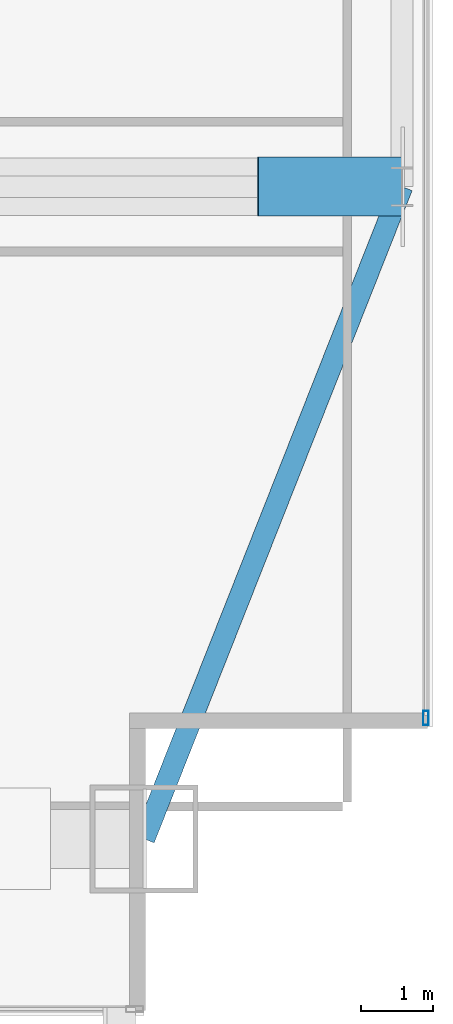
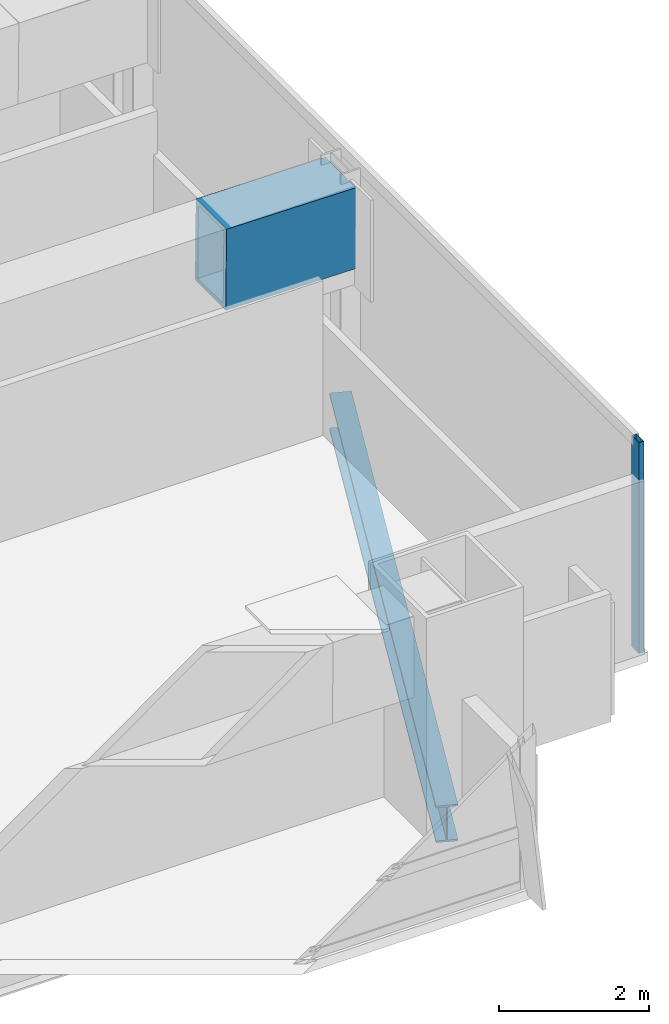
# One storey, part 19 of 30: 2 beams, 1 member, 1 element without a shape of its own.
"""IFC4 building model written with IfcOpenShell, lengths in metres."""

from ifc_helpers import new_model, si_unit, direction, frame, origin, origin_2d, place, context, subcontext, project, spatial, hollow_rectangle, i_section, extrude, material, material_profile, profile_set, type_object, element, aggregate, save


model = new_model("IFC4")

# Units and contexts
model_context = context("Model", 3, precision=1e-05, world=origin(), true_north=direction((0.0, 1.0)))
body_context = subcontext(model_context, "Body", "Model", "MODEL_VIEW")
ifc_project = project(units=[si_unit("LENGTHUNIT", "METRE"), si_unit("AREAUNIT", "SQUARE_METRE"), si_unit("VOLUMEUNIT", "CUBIC_METRE"), si_unit("PLANEANGLEUNIT", "RADIAN"), si_unit("MASSUNIT", "GRAM", prefix="KILO")], contexts=[model_context])

# Site, building, storey
site_placement = place(None, origin())
site = spatial("IfcSite", under=ifc_project, at=site_placement, CompositionType="ELEMENT")
building_placement = place(site_placement, origin())
building = spatial("IfcBuilding", under=site, at=building_placement, Name="Khoronbel Lancet Exchange", CompositionType="ELEMENT")
storey_placement = place(building_placement, frame((0.0, 0.0, 132.60009765625)))
storey = spatial("IfcBuildingStorey", under=building, at=storey_placement, Name="L32", CompositionType="ELEMENT", Elevation=132.60009765625)

# Beams
ifc_material_1 = material(Name="Steel S355", Category="steel")
ifc_material_profile_1 = material_profile(ifc_material_1, i_section(OverallWidth=0.300048828125, OverallDepth=0.60009765625, WebThickness=0.015380859375, FlangeThickness=0.030029296875, at=origin_2d()), Name="HEB 600")
ifc_profile_set_1 = profile_set([ifc_material_profile_1], Name="Steel S355")
beam_type_1 = type_object("IfcBeamType", Name="BM-BSP2", PredefinedType="SPANDREL", material=ifc_profile_set_1)
beam_1_placement = place(storey_placement, frame((66.050048828125, 10.14990234375, -0.460205078125), z_axis=(0.367828403855, 0.929893684954, 0.0), x_axis=(-0.929893684954, 0.367828403855, 0.0)))
element("IfcBeam", 1, at=beam_1_placement, inside=storey, type_object=beam_type_1, Name="Level L32 perimeter spandrel beam SP10", PredefinedType="SPANDREL", context=body_context, shape_type="SweptSolid", body=[
    extrude(i_section(OverallWidth=0.300048828125, OverallDepth=0.60009765625, WebThickness=0.015380859375, FlangeThickness=0.030029296875, at=origin_2d()), origin(), (0.0, 0.0, 1.0), 9.732421875),
])
ifc_material_2 = material(Name="Steel S460", Category="steel")
ifc_material_profile_2 = material_profile(ifc_material_2, hollow_rectangle(XDim=0.820068359375, YDim=1.320068359375, WallThickness=0.070068359375, at=origin_2d()), Name="BOX 820x1320x70")
ifc_profile_set_2 = profile_set([ifc_material_profile_2], Name="Steel S460")
beam_type_2 = type_object("IfcBeamType", Name="BM-TG4", PredefinedType="USERDEFINED", material=ifc_profile_set_2)
beam_2_placement = place(storey_placement, frame((69.6298828125, 19.199951171875, 2.760009765625), z_axis=(-0.999951120325, 0.0, 0.009887212005), x_axis=(0.0, -1.0, 0.0)))
element("IfcBeam", 2, at=beam_2_placement, inside=storey, type_object=beam_type_2, Name="Setback transfer knee-brace girder L32-EC-1", ObjectType="TRANSFER GIRDER", PredefinedType="USERDEFINED", context=body_context, shape_type="SweptSolid", body=[
    extrude(hollow_rectangle(XDim=0.820068359375, YDim=1.320068359375, WallThickness=0.070068359375, at=origin_2d()), origin(), (0.0, 0.0, 1.0), 2.0),
])

# Curtain wall, member
ifc_material_3 = material(Name="Low-E Solar Control Insulating Glass", Category="glass")
curtain_wall_type = type_object("IfcCurtainWallType", Name="CW-4", PredefinedType="NOTDEFINED", material=ifc_material_3)
curtain_wall_placement = place(storey_placement, origin())
curtain_wall = element("IfcCurtainWall", 3, at=curtain_wall_placement, inside=storey, type_object=curtain_wall_type, Name="Unitised curtain wall CW-L32-E09", PredefinedType="NOTDEFINED")
ifc_material_4 = material(Name="Bronze-Anodised Aluminium 6063-T6", Category="aluminium")
ifc_material_profile_3 = material_profile(ifc_material_4, hollow_rectangle(XDim=0.074951171875, YDim=0.199951171875, WallThickness=0.0048828125, at=origin_2d()), Name="ALU MULLION 75x200")
ifc_profile_set_3 = profile_set([ifc_material_profile_3], Name="Bronze-Anodised Aluminium 6063-T6")
member_type = type_object("IfcMemberType", Name="MEM-CWM2", PredefinedType="MULLION", material=ifc_profile_set_3)
member_placement = place(storey_placement, frame((69.9599609375, 11.827392578125, 0.0), z_axis=(0.0, 0.0, 1.0), x_axis=(1.0, 0.0, 0.0)))
member = element("IfcMember", 4, at=member_placement, type_object=member_type, Name="CW4 mullion 3", PredefinedType="MULLION", context=body_context, shape_type="SweptSolid", body=[
    extrude(hollow_rectangle(XDim=0.074951171875, YDim=0.199951171875, WallThickness=0.0048828125, at=origin_2d()), origin(), (0.0, 0.0, 1.0), 3.43994140625),
])
aggregate(curtain_wall, [member])

save(model, "model.ifc")
